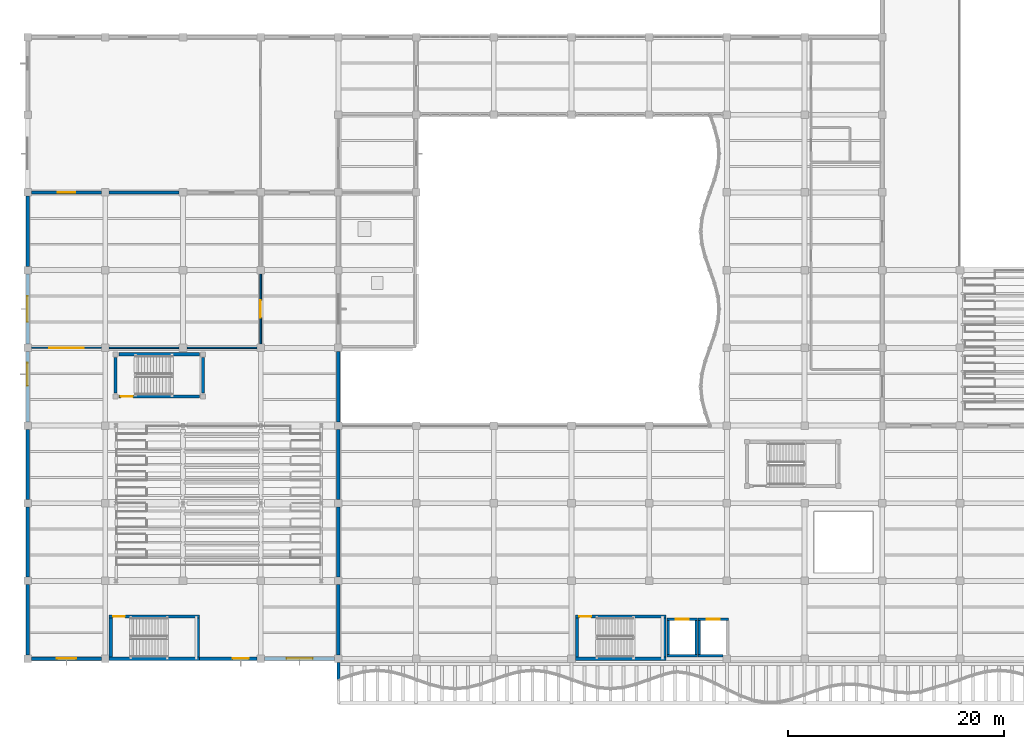
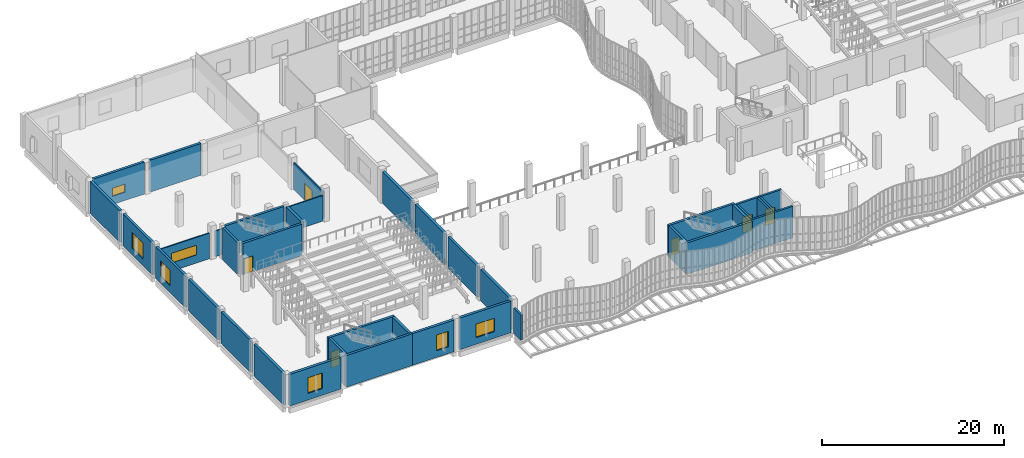
# One storey, part 88 of 108: 39 walls, 7 windows, 6 doors, 13 openings.
"""IFC4 building model written with IfcOpenShell, lengths in metres."""

from ifc_helpers import new_model, si_unit, direction, frame, frame_2d, origin, place, context, subcontext, project, spatial, rectangle, extrude, material, layer, layer_set, type_object, element, fill, save


model = new_model("IFC4")

# Units and contexts
model_context = context("Model", 3, precision=1e-05, world=origin(), true_north=direction((0.0, 1.0)))
body_context = subcontext(model_context, "Body", "Model", "MODEL_VIEW")
ifc_project = project(units=[si_unit("LENGTHUNIT", "METRE"), si_unit("AREAUNIT", "SQUARE_METRE"), si_unit("VOLUMEUNIT", "CUBIC_METRE"), si_unit("PLANEANGLEUNIT", "RADIAN"), si_unit("MASSUNIT", "GRAM", prefix="KILO"), si_unit("THERMODYNAMICTEMPERATUREUNIT", "KELVIN"), si_unit("POWERUNIT", "WATT")], contexts=[model_context])

# Site, building, storey
site_placement = place(None, origin())
site = spatial("IfcSite", under=ifc_project, at=site_placement, CompositionType="ELEMENT")
building_placement = place(site_placement, origin())
building = spatial("IfcBuilding", under=site, at=building_placement, Name="Kaldorven Railside Theatre", CompositionType="ELEMENT")
storey_placement = place(building_placement, frame((0.0, 0.0, 5.39990234375)))
storey = spatial("IfcBuildingStorey", under=building, at=storey_placement, Name="L01", CompositionType="ELEMENT", Elevation=5.39990234375)

# Wall, opening, window
ifc_material_1 = material(Name="Architectural concrete C40/50", Category="concrete")
ifc_layer_1 = layer(ifc_material_1, 0.320068359375, Name="Architectural concrete C40/50")
ifc_layer_set_1 = layer_set([ifc_layer_1], Name="Architectural concrete C40/50")
wall_type_1 = type_object("IfcWallType", Name="WL-EW04", PredefinedType="SOLIDWALL", material=ifc_layer_set_1)
wall_1_placement = place(storey_placement, frame((36.449951171875, 19.199951171875, 0.0), z_axis=(0.0, 0.0, 1.0), x_axis=(-1.0, 0.0, 0.0)))
wall_1 = element("IfcWall", 1, at=wall_1_placement, inside=storey, type_object=wall_type_1, Name="V3 L01 Exterior Wall EW-0147", PredefinedType="SOLIDWALL", context=body_context, shape_type="SweptSolid", body=[
    extrude(rectangle(XDim=6.5, YDim=0.320068359375, at=frame_2d((3.25, 0.0))), origin(), (0.0, 0.0, 1.0), 4.25),
])
opening_1_placement = place(wall_1_placement, frame((2.050048828125, 0.0, 0.89990234375)))
opening_1 = element("IfcOpeningElement", 2, at=opening_1_placement, cuts=wall_1, Name="Opening WN-007", PredefinedType="OPENING", context=body_context, shape_type="SweptSolid", body=[
    extrude(rectangle(XDim=2.39990234375, YDim=1.800048828125, at=frame_2d((1.199951171875, 0.89990234375))), frame((0.0, 0.169921875, 0.0), z_axis=(0.0, -1.0, 0.0), x_axis=(1.0, 0.0, 0.0)), (0.0, 0.0, 1.0), 0.340087890625),
])
ifc_material_2 = material(Name="Low-E laminated solar-control glass", Category="glass")
window_type_1 = type_object("IfcWindowType", Name="WN-EW07", PartitioningType="SINGLE_PANEL", PredefinedType="WINDOW", material=ifc_material_2)
window_1_placement = place(opening_1_placement, origin())
window_1 = element("IfcWindow", 3, at=window_1_placement, inside=storey, type_object=window_type_1, Name="Shaded Acoustic Exterior Window WN-007", OverallHeight=1.800048828125, OverallWidth=2.39990234375, PartitioningType="SINGLE_PANEL", PredefinedType="WINDOW", context=body_context, shape_type="SweptSolid", body=[
    extrude(rectangle(XDim=2.39990234375, YDim=1.800048828125, at=frame_2d((1.199951171875, 0.89990234375))), frame((0.0, 0.030029296875, 0.0), z_axis=(0.0, -1.0, 0.0), x_axis=(1.0, 0.0, 0.0)), (0.0, 0.0, 1.0), 0.06005859375),
])
fill(opening_1, window_1)

wall_2_placement = place(storey_placement, frame((29.25, 19.199951171875, 0.0), z_axis=(0.0, 0.0, 1.0), x_axis=(-1.0, 0.0, 0.0)))
wall_2 = element("IfcWall", 4, at=wall_2_placement, inside=storey, type_object=wall_type_1, Name="V3 L01 Exterior Wall EW-0148", PredefinedType="SOLIDWALL", context=body_context, shape_type="SweptSolid", body=[
    extrude(rectangle(XDim=5.300048828125, YDim=0.320068359375, at=frame_2d((2.64990234375, 0.0))), origin(), (0.0, 0.0, 1.0), 4.25),
])
opening_2_placement = place(wall_2_placement, frame((0.75, 0.0, 0.89990234375)))
opening_2 = element("IfcOpeningElement", 5, at=opening_2_placement, cuts=wall_2, Name="Opening WN-008", PredefinedType="OPENING", context=body_context, shape_type="SweptSolid", body=[
    extrude(rectangle(XDim=1.5, YDim=2.10009765625, at=frame_2d((0.75, 1.050048828125))), frame((0.0, 0.169921875, 0.0), z_axis=(0.0, -1.0, 0.0), x_axis=(1.0, 0.0, 0.0)), (0.0, 0.0, 1.0), 0.340087890625),
])
window_type_2 = type_object("IfcWindowType", Name="WN-EW08", PartitioningType="SINGLE_PANEL", PredefinedType="WINDOW", material=ifc_material_2)
window_2_placement = place(opening_2_placement, origin())
window_2 = element("IfcWindow", 6, at=window_2_placement, inside=storey, type_object=window_type_2, Name="Shaded Acoustic Exterior Window WN-008", OverallHeight=2.10009765625, OverallWidth=1.5, PartitioningType="SINGLE_PANEL", PredefinedType="WINDOW", context=body_context, shape_type="SweptSolid", body=[
    extrude(rectangle(XDim=1.5, YDim=2.10009765625, at=frame_2d((0.75, 1.050048828125))), frame((0.0, 0.030029296875, 0.0), z_axis=(0.0, -1.0, 0.0), x_axis=(1.0, 0.0, 0.0)), (0.0, 0.0, 1.0), 0.06005859375),
])
fill(opening_2, window_2)

wall_3_placement = place(storey_placement, frame((14.85009765625, 19.199951171875, 0.0), z_axis=(0.0, 0.0, 1.0), x_axis=(-1.0, 0.0, 0.0)))
wall_3 = element("IfcWall", 7, at=wall_3_placement, inside=storey, type_object=wall_type_1, Name="V3 L01 Exterior Wall EW-0149", PredefinedType="SOLIDWALL", context=body_context, shape_type="SweptSolid", body=[
    extrude(rectangle(XDim=6.5, YDim=0.320068359375, at=frame_2d((3.25, 0.0))), origin(), (0.0, 0.0, 1.0), 4.25),
])
opening_3_placement = place(wall_3_placement, frame((2.35009765625, 0.0, 0.89990234375)))
opening_3 = element("IfcOpeningElement", 8, at=opening_3_placement, cuts=wall_3, Name="Opening WN-009", PredefinedType="OPENING", context=body_context, shape_type="SweptSolid", body=[
    extrude(rectangle(XDim=1.800048828125, YDim=2.10009765625, at=frame_2d((0.89990234375, 1.050048828125))), frame((0.0, 0.169921875, 0.0), z_axis=(0.0, -1.0, 0.0), x_axis=(1.0, 0.0, 0.0)), (0.0, 0.0, 1.0), 0.340087890625),
])
window_type_3 = type_object("IfcWindowType", Name="WN-EW09", PartitioningType="SINGLE_PANEL", PredefinedType="WINDOW", material=ifc_material_2)
window_3_placement = place(opening_3_placement, origin())
window_3 = element("IfcWindow", 9, at=window_3_placement, inside=storey, type_object=window_type_3, Name="Shaded Acoustic Exterior Window WN-009", OverallHeight=2.10009765625, OverallWidth=1.800048828125, PartitioningType="SINGLE_PANEL", PredefinedType="WINDOW", context=body_context, shape_type="SweptSolid", body=[
    extrude(rectangle(XDim=1.800048828125, YDim=2.10009765625, at=frame_2d((0.89990234375, 1.050048828125))), frame((0.0, 0.030029296875, 0.0), z_axis=(0.0, -1.0, 0.0), x_axis=(1.0, 0.0, 0.0)), (0.0, 0.0, 1.0), 0.06005859375),
])
fill(opening_3, window_3)

# Walls
for number, where, z_axis, x_axis, name in (
    (10, (8.0, 19.550048828125, 0.0), (0.0, 0.0, 1.0), (0.0, 1.0, 0.0), "V3 L01 Exterior Wall EW-0150"),
    (11, (8.0, 26.75, 0.0), (0.0, 0.0, 1.0), (0.0, 1.0, 0.0), "V3 L01 Exterior Wall EW-0151"),
    (12, (8.0, 33.949951171875, 0.0), (0.0, 0.0, 1.0), (0.0, 1.0, 0.0), "V3 L01 Exterior Wall EW-0152"),
):
    element("IfcWall", number, at=place(storey_placement, frame(where, z_axis=z_axis, x_axis=x_axis)), inside=storey, type_object=wall_type_1, Name=name, PredefinedType="SOLIDWALL", context=body_context, shape_type="SweptSolid", body=[
        extrude(rectangle(XDim=6.5, YDim=0.320068359375, at=frame_2d((3.25, 0.0))), origin(), (0.0, 0.0, 1.0), 4.25),
    ])

# Wall, opening, window
wall_4_placement = place(storey_placement, frame((8.0, 41.14990234375, 0.0), z_axis=(0.0, 0.0, 1.0), x_axis=(0.0, 1.0, 0.0)))
wall_4 = element("IfcWall", 13, at=wall_4_placement, inside=storey, type_object=wall_type_1, Name="V3 L01 Exterior Wall EW-0153", PredefinedType="SOLIDWALL", context=body_context, shape_type="SweptSolid", body=[
    extrude(rectangle(XDim=6.5, YDim=0.320068359375, at=frame_2d((3.25, 0.0))), origin(), (0.0, 0.0, 1.0), 4.25),
])
opening_4_placement = place(wall_4_placement, frame((3.35009765625, 0.0, 0.89990234375)))
opening_4 = element("IfcOpeningElement", 14, at=opening_4_placement, cuts=wall_4, Name="Opening WN-010", PredefinedType="OPENING", context=body_context, shape_type="SweptSolid", body=[
    extrude(rectangle(XDim=2.10009765625, YDim=2.10009765625, at=frame_2d((1.050048828125, 1.050048828125))), frame((0.0, 0.169921875, 0.0), z_axis=(0.0, -1.0, 0.0), x_axis=(1.0, 0.0, 0.0)), (0.0, 0.0, 1.0), 0.340087890625),
])
window_type_4 = type_object("IfcWindowType", Name="WN-EW10", PartitioningType="SINGLE_PANEL", PredefinedType="WINDOW", material=ifc_material_2)
window_4_placement = place(opening_4_placement, origin())
window_4 = element("IfcWindow", 15, at=window_4_placement, inside=storey, type_object=window_type_4, Name="Shaded Acoustic Exterior Window WN-010", OverallHeight=2.10009765625, OverallWidth=2.10009765625, PartitioningType="SINGLE_PANEL", PredefinedType="WINDOW", context=body_context, shape_type="SweptSolid", body=[
    extrude(rectangle(XDim=2.10009765625, YDim=2.10009765625, at=frame_2d((1.050048828125, 1.050048828125))), frame((0.0, 0.030029296875, 0.0), z_axis=(0.0, -1.0, 0.0), x_axis=(1.0, 0.0, 0.0)), (0.0, 0.0, 1.0), 0.06005859375),
])
fill(opening_4, window_4)

wall_5_placement = place(storey_placement, frame((8.0, 48.35009765625, 0.0), z_axis=(0.0, 0.0, 1.0), x_axis=(0.0, 1.0, 0.0)))
wall_5 = element("IfcWall", 16, at=wall_5_placement, inside=storey, type_object=wall_type_1, Name="V3 L01 Exterior Wall EW-0154", PredefinedType="SOLIDWALL", context=body_context, shape_type="SweptSolid", body=[
    extrude(rectangle(XDim=6.5, YDim=0.320068359375, at=frame_2d((3.25, 0.0))), origin(), (0.0, 0.0, 1.0), 4.280029296875),
])
opening_5_placement = place(wall_5_placement, frame((2.050048828125, 0.0, 0.89990234375)))
opening_5 = element("IfcOpeningElement", 17, at=opening_5_placement, cuts=wall_5, Name="Opening WN-011", PredefinedType="OPENING", context=body_context, shape_type="SweptSolid", body=[
    extrude(rectangle(XDim=2.39990234375, YDim=2.10009765625, at=frame_2d((1.199951171875, 1.050048828125))), frame((0.0, 0.169921875, 0.0), z_axis=(0.0, -1.0, 0.0), x_axis=(1.0, 0.0, 0.0)), (0.0, 0.0, 1.0), 0.340087890625),
])
window_type_5 = type_object("IfcWindowType", Name="WN-EW11", PartitioningType="SINGLE_PANEL", PredefinedType="WINDOW", material=ifc_material_2)
window_5_placement = place(opening_5_placement, origin())
window_5 = element("IfcWindow", 18, at=window_5_placement, inside=storey, type_object=window_type_5, Name="Shaded Acoustic Exterior Window WN-011", OverallHeight=2.10009765625, OverallWidth=2.39990234375, PartitioningType="SINGLE_PANEL", PredefinedType="WINDOW", context=body_context, shape_type="SweptSolid", body=[
    extrude(rectangle(XDim=2.39990234375, YDim=2.10009765625, at=frame_2d((1.199951171875, 1.050048828125))), frame((0.0, 0.030029296875, 0.0), z_axis=(0.0, -1.0, 0.0), x_axis=(1.0, 0.0, 0.0)), (0.0, 0.0, 1.0), 0.06005859375),
])
fill(opening_5, window_5)

# Walls
wall_6_placement = place(storey_placement, frame((8.0, 55.550048828125, 0.0), z_axis=(0.0, 0.0, 1.0), x_axis=(0.0, 1.0, 0.0)))
element("IfcWall", 19, at=wall_6_placement, inside=storey, type_object=wall_type_1, Name="V3 L01 Exterior Wall EW-0155", PredefinedType="SOLIDWALL", context=body_context, shape_type="SweptSolid", body=[
    extrude(rectangle(XDim=6.5, YDim=0.320068359375, at=frame_2d((3.25, 0.0))), origin(), (0.0, 0.0, 1.0), 4.280029296875),
])
wall_7_placement = place(storey_placement, frame((36.800048828125, 47.64990234375, 0.0), z_axis=(0.0, 0.0, 1.0), x_axis=(0.0, -1.0, 0.0)))
element("IfcWall", 20, at=wall_7_placement, inside=storey, type_object=wall_type_1, Name="V3 L01 Exterior Wall EW-0158", PredefinedType="SOLIDWALL", context=body_context, shape_type="SweptSolid", body=[
    extrude(rectangle(XDim=6.5, YDim=0.320068359375, at=frame_2d((3.25, 0.0))), origin(), (0.0, 0.0, 1.0), 4.25),
])
for number, where, z_axis, x_axis, name in (
    (21, (36.800048828125, 40.449951171875, 0.0), (0.0, 0.0, 1.0), (0.0, -1.0, 0.0), "V3 L01 Exterior Wall EW-0159"),
    (22, (36.800048828125, 33.25, 0.0), (0.0, 0.0, 1.0), (0.0, -1.0, 0.0), "V3 L01 Exterior Wall EW-0160"),
    (23, (36.800048828125, 26.050048828125, 0.0), (0.0, 0.0, 1.0), (0.0, -1.0, 0.0), "V3 L01 Exterior Wall EW-0161"),
):
    element("IfcWall", number, at=place(storey_placement, frame(where, z_axis=z_axis, x_axis=x_axis)), inside=storey, type_object=wall_type_1, Name=name, PredefinedType="SOLIDWALL", context=body_context, shape_type="SweptSolid", body=[
        extrude(rectangle(XDim=6.5, YDim=0.320068359375, at=frame_2d((3.25, 0.0))), origin(), (0.0, 0.0, 1.0), 4.22021484375),
    ])
ifc_material_3 = material(Name="Precast concrete C40/50", Category="concrete")
ifc_layer_2 = layer(ifc_material_3, 0.25, Name="Precast concrete C40/50")
ifc_layer_set_2 = layer_set([ifc_layer_2], Name="Precast concrete C40/50")
wall_type_2 = type_object("IfcWallType", Name="WL-EW06", PredefinedType="SOLIDWALL", material=ifc_layer_set_2)
wall_8_placement = place(storey_placement, frame((36.800048828125, 17.25, 0.0), z_axis=(0.0, 0.0, 1.0), x_axis=(0.0, 1.0, 0.0)))
element("IfcWall", 24, at=wall_8_placement, inside=storey, type_object=wall_type_2, Name="L01 Sinusoidal Foyer W End Return Wall EW-0470", PredefinedType="SOLIDWALL", context=body_context, shape_type="SweptSolid", body=[
    extrude(rectangle(XDim=1.60009765625, YDim=0.25, at=frame_2d((0.800048828125, 0.0))), origin(), (0.0, 0.0, 1.0), 3.375),
])

# Wall, opening, door
ifc_material_4 = material(Name="Acoustic gypsum board")
ifc_layer_3 = layer(ifc_material_4, 0.14990234375, Name="Acoustic gypsum board")
ifc_layer_set_3 = layer_set([ifc_layer_3], Name="Acoustic gypsum board")
wall_type_3 = type_object("IfcWallType", Name="WL-IW-AC1", PredefinedType="PARTITIONING", material=ifc_layer_set_3)
wall_9_placement = place(storey_placement, frame((29.60009765625, 48.35009765625, 0.0), z_axis=(0.0, 0.0, 1.0), x_axis=(0.0, 1.0, 0.0)))
wall_9 = element("IfcWall", 25, at=wall_9_placement, inside=storey, type_object=wall_type_3, Name="L01 Interior Wall IW-0522", PredefinedType="PARTITIONING", context=body_context, shape_type="SweptSolid", body=[
    extrude(rectangle(XDim=6.5, YDim=0.14990234375, at=frame_2d((3.25, 0.0))), origin(), (0.0, 0.0, 1.0), 3.5751953125),
])
opening_6_placement = place(wall_9_placement, frame((2.449951171875, 0.0, 0.0)))
opening_6 = element("IfcOpeningElement", 26, at=opening_6_placement, cuts=wall_9, Name="Opening ID-0121", PredefinedType="OPENING", context=body_context, shape_type="SweptSolid", body=[
    extrude(rectangle(XDim=1.60009765625, YDim=2.25, at=frame_2d((0.800048828125, 1.125))), frame((0.0, 0.0849609375, 0.0), z_axis=(0.0, -1.0, 0.0), x_axis=(1.0, 0.0, 0.0)), (0.0, 0.0, 1.0), 0.169921875),
])
ifc_material_5 = material(Name="Acoustic hardwood timber", Category="wood")
door_type_1 = type_object("IfcDoorType", Name="DR-ID-REH1", OperationType="NOTDEFINED", PredefinedType="DOOR", material=ifc_material_5)
door_1_placement = place(opening_6_placement, origin())
door_1 = element("IfcDoor", 27, at=door_1_placement, inside=storey, type_object=door_type_1, Name="Studio Stage Entry Door", OperationType="DOUBLE_DOOR_SINGLE_SWING", OverallHeight=2.25, OverallWidth=1.60009765625, PredefinedType="DOOR", context=body_context, shape_type="SweptSolid", body=[
    extrude(rectangle(XDim=1.60009765625, YDim=2.25, at=frame_2d((0.800048828125, 1.125))), frame((0.0, 0.02490234375, 0.0), z_axis=(0.0, -1.0, 0.0), x_axis=(1.0, 0.0, 0.0)), (0.0, 0.0, 1.0), 0.050048828125),
])
fill(opening_6, door_1)

# Wall, opening, window
wall_10_placement = place(storey_placement, frame((8.35009765625, 48.0, 0.0), z_axis=(0.0, 0.0, 1.0), x_axis=(1.0, 0.0, 0.0)))
wall_10 = element("IfcWall", 28, at=wall_10_placement, inside=storey, type_object=wall_type_3, Name="L01 Interior Wall IW-0524", PredefinedType="PARTITIONING", context=body_context, shape_type="SweptSolid", body=[
    extrude(rectangle(XDim=6.5, YDim=0.14990234375, at=frame_2d((3.25, 0.0))), origin(), (0.0, 0.0, 1.0), 3.445068359375),
])
opening_7_placement = place(wall_10_placement, frame((1.64990234375, 0.0, 1.10009765625)))
opening_7 = element("IfcOpeningElement", 29, at=opening_7_placement, cuts=wall_10, Name="Opening IWN-016", PredefinedType="OPENING", context=body_context, shape_type="SweptSolid", body=[
    extrude(rectangle(XDim=3.199951171875, YDim=1.300048828125, at=frame_2d((1.60009765625, 0.64990234375))), frame((0.0, 0.0849609375, 0.0), z_axis=(0.0, -1.0, 0.0), x_axis=(1.0, 0.0, 0.0)), (0.0, 0.0, 1.0), 0.169921875),
])
window_type_6 = type_object("IfcWindowType", Name="WN-IW08", PartitioningType="SINGLE_PANEL", PredefinedType="WINDOW", material=ifc_material_2)
window_6_placement = place(opening_7_placement, origin())
window_6 = element("IfcWindow", 30, at=window_6_placement, inside=storey, type_object=window_type_6, Name="Acoustic Observation Window IWN-016", OverallHeight=1.300048828125, OverallWidth=3.199951171875, PartitioningType="SINGLE_PANEL", PredefinedType="WINDOW", context=body_context, shape_type="SweptSolid", body=[
    extrude(rectangle(XDim=3.199951171875, YDim=1.300048828125, at=frame_2d((1.60009765625, 0.64990234375))), frame((0.0, 0.030029296875, 0.0), z_axis=(0.0, -1.0, 0.0), x_axis=(1.0, 0.0, 0.0)), (0.0, 0.0, 1.0), 0.06005859375),
])
fill(opening_7, window_6)

# Walls
for number, where, z_axis, x_axis, name in (
    (31, (15.550048828125, 48.0, 0.0), (0.0, 0.0, 1.0), (1.0, 0.0, 0.0), "L01 Interior Wall IW-0525"),
    (32, (22.75, 48.0, 0.0), (0.0, 0.0, 1.0), (1.0, 0.0, 0.0), "L01 Interior Wall IW-0526"),
):
    element("IfcWall", number, at=place(storey_placement, frame(where, z_axis=z_axis, x_axis=x_axis)), inside=storey, type_object=wall_type_3, Name=name, PredefinedType="PARTITIONING", context=body_context, shape_type="SweptSolid", body=[
        extrude(rectangle(XDim=6.5, YDim=0.14990234375, at=frame_2d((3.25, 0.0))), origin(), (0.0, 0.0, 1.0), 3.445068359375),
    ])
ifc_material_6 = material(Name="Concrete C40/50", Category="concrete")
ifc_layer_4 = layer(ifc_material_6, 0.300048828125, Name="Concrete C40/50")
ifc_layer_set_4 = layer_set([ifc_layer_4], Name="Concrete C40/50")
wall_type_4 = type_object("IfcWallType", Name="WL-IW-CORE", PredefinedType="SHEAR", material=ifc_layer_set_4)
wall_11_placement = place(storey_placement, frame((23.949951171875, 19.199951171875, 0.0), z_axis=(0.0, 0.0, 1.0), x_axis=(-1.0, 0.0, 0.0)))
element("IfcWall", 33, at=wall_11_placement, inside=storey, type_object=wall_type_4, Name="L01 Core Wall CW-0009", PredefinedType="SHEAR", context=body_context, shape_type="SweptSolid", body=[
    extrude(rectangle(XDim=8.39990234375, YDim=0.300048828125, at=frame_2d((4.199951171875, 0.0))), origin(), (0.0, 0.0, 1.0), 4.25),
])
wall_12_placement = place(storey_placement, frame((15.699951171875, 19.35205078125, 0.0), z_axis=(0.0, 0.0, 1.0), x_axis=(0.0, 1.0, 0.0)))
element("IfcWall", 34, at=wall_12_placement, inside=storey, type_object=wall_type_4, Name="L01 Core Wall CW-0010", PredefinedType="SHEAR", context=body_context, shape_type="SweptSolid", body=[
    extrude(rectangle(XDim=3.597900390625, YDim=0.300048828125, at=frame_2d((1.798828125, 0.0))), origin(), (0.0, 0.0, 1.0), 4.25),
])

# Wall, opening, door
wall_13_placement = place(storey_placement, frame((15.550048828125, 23.10009765625, 0.0), z_axis=(0.0, 0.0, 1.0), x_axis=(1.0, 0.0, 0.0)))
wall_13 = element("IfcWall", 35, at=wall_13_placement, inside=storey, type_object=wall_type_4, Name="L01 Core Wall CW-0011", PredefinedType="SHEAR", context=body_context, shape_type="SweptSolid", body=[
    extrude(rectangle(XDim=8.39990234375, YDim=0.300048828125, at=frame_2d((4.199951171875, 0.0))), origin(), (0.0, 0.0, 1.0), 4.25),
])
opening_8_placement = place(wall_13_placement, frame((0.3701171875, 0.0, 0.0)))
opening_8 = element("IfcOpeningElement", 36, at=opening_8_placement, cuts=wall_13, Name="Opening ID-0003", PredefinedType="OPENING", context=body_context, shape_type="SweptSolid", body=[
    extrude(rectangle(XDim=1.10009765625, YDim=2.14990234375, at=frame_2d((0.550048828125, 1.074951171875))), frame((0.0, 0.16015625, 0.0), z_axis=(0.0, -1.0, 0.0), x_axis=(1.0, 0.0, 0.0)), (0.0, 0.0, 1.0), 0.320068359375),
])
door_type_2 = type_object("IfcDoorType", Name="DR-ID-FD60", OperationType="NOTDEFINED", PredefinedType="DOOR", material=ifc_material_5)
door_2_placement = place(opening_8_placement, origin())
door_2 = element("IfcDoor", 37, at=door_2_placement, inside=storey, type_object=door_type_2, Name="Stair ST-01 Fire Door", OperationType="SINGLE_SWING_LEFT", OverallHeight=2.14990234375, OverallWidth=1.10009765625, PredefinedType="DOOR", context=body_context, shape_type="SweptSolid", body=[
    extrude(rectangle(XDim=1.10009765625, YDim=2.14990234375, at=frame_2d((0.550048828125, 1.074951171875))), frame((0.0, 0.02490234375, 0.0), z_axis=(0.0, -1.0, 0.0), x_axis=(1.0, 0.0, 0.0)), (0.0, 0.0, 1.0), 0.050048828125),
])
fill(opening_8, door_2)

# Wall
wall_14_placement = place(storey_placement, frame((23.800048828125, 22.947998046875, 0.0), z_axis=(0.0, 0.0, 1.0), x_axis=(0.0, -1.0, 0.0)))
element("IfcWall", 38, at=wall_14_placement, inside=storey, type_object=wall_type_4, Name="L01 Core Wall CW-0012", PredefinedType="SHEAR", context=body_context, shape_type="SweptSolid", body=[
    extrude(rectangle(XDim=3.595947265625, YDim=0.300048828125, at=frame_2d((1.7978515625, 0.0))), origin(), (0.0, 0.0, 1.0), 4.25),
])

# Wall, opening, door
wall_15_placement = place(storey_placement, frame((23.949951171875, 43.5, 0.0), z_axis=(0.0, 0.0, 1.0), x_axis=(-1.0, 0.0, 0.0)))
wall_15 = element("IfcWall", 39, at=wall_15_placement, inside=storey, type_object=wall_type_4, Name="L01 Core Wall CW-0021", PredefinedType="SHEAR", context=body_context, shape_type="SweptSolid", body=[
    extrude(rectangle(XDim=7.5, YDim=0.300048828125, at=frame_2d((3.75, 0.0))), origin(), (0.0, 0.0, 1.0), 4.25),
])
opening_9_placement = place(wall_15_placement, frame((6.199951171875, 0.0, 0.0)))
opening_9 = element("IfcOpeningElement", 40, at=opening_9_placement, cuts=wall_15, Name="Opening ID-0006", PredefinedType="OPENING", context=body_context, shape_type="SweptSolid", body=[
    extrude(rectangle(XDim=1.10009765625, YDim=2.14990234375, at=frame_2d((0.550048828125, 1.074951171875))), frame((0.0, 0.16015625, 0.0), z_axis=(0.0, -1.0, 0.0), x_axis=(1.0, 0.0, 0.0)), (0.0, 0.0, 1.0), 0.320068359375),
])
door_3_placement = place(opening_9_placement, origin())
door_3 = element("IfcDoor", 41, at=door_3_placement, inside=storey, type_object=door_type_2, Name="Stair ST-02 Fire Door", OperationType="SINGLE_SWING_RIGHT", OverallHeight=2.14990234375, OverallWidth=1.10009765625, PredefinedType="DOOR", context=body_context, shape_type="SweptSolid", body=[
    extrude(rectangle(XDim=1.10009765625, YDim=2.14990234375, at=frame_2d((0.550048828125, 1.074951171875))), frame((0.0, 0.02490234375, 0.0), z_axis=(0.0, -1.0, 0.0), x_axis=(1.0, 0.0, 0.0)), (0.0, 0.0, 1.0), 0.050048828125),
])
fill(opening_9, door_3)

# Walls
wall_16_placement = place(storey_placement, frame((16.14990234375, 43.800048828125, 0.0), z_axis=(0.0, 0.0, 1.0), x_axis=(0.0, 1.0, 0.0)))
element("IfcWall", 42, at=wall_16_placement, inside=storey, type_object=wall_type_4, Name="L01 Core Wall CW-0022", PredefinedType="SHEAR", context=body_context, shape_type="SweptSolid", body=[
    extrude(rectangle(XDim=3.300048828125, YDim=0.300048828125, at=frame_2d((1.64990234375, 0.0))), origin(), (0.0, 0.0, 1.0), 4.25),
])
wall_17_placement = place(storey_placement, frame((16.449951171875, 47.39990234375, 0.0), z_axis=(0.0, 0.0, 1.0), x_axis=(1.0, 0.0, 0.0)))
element("IfcWall", 43, at=wall_17_placement, inside=storey, type_object=wall_type_4, Name="L01 Core Wall CW-0023", PredefinedType="SHEAR", context=body_context, shape_type="SweptSolid", body=[
    extrude(rectangle(XDim=7.5, YDim=0.300048828125, at=frame_2d((3.75, 0.0))), origin(), (0.0, 0.0, 1.0), 4.25),
])
wall_18_placement = place(storey_placement, frame((24.25, 47.10009765625, 0.0), z_axis=(0.0, 0.0, 1.0), x_axis=(0.0, -1.0, 0.0)))
element("IfcWall", 44, at=wall_18_placement, inside=storey, type_object=wall_type_4, Name="L01 Core Wall CW-0024", PredefinedType="SHEAR", context=body_context, shape_type="SweptSolid", body=[
    extrude(rectangle(XDim=3.300048828125, YDim=0.300048828125, at=frame_2d((1.64990234375, 0.0))), origin(), (0.0, 0.0, 1.0), 4.25),
])
wall_19_placement = place(storey_placement, frame((67.14990234375, 19.199951171875, 0.0), z_axis=(0.0, 0.0, 1.0), x_axis=(-1.0, 0.0, 0.0)))
element("IfcWall", 45, at=wall_19_placement, inside=storey, type_object=wall_type_4, Name="L01 Core Wall CW-0037", PredefinedType="SHEAR", context=body_context, shape_type="SweptSolid", body=[
    extrude(rectangle(XDim=8.39990234375, YDim=0.300048828125, at=frame_2d((4.199951171875, 0.0))), origin(), (0.0, 0.0, 1.0), 4.22021484375),
])
wall_20_placement = place(storey_placement, frame((58.89990234375, 19.35205078125, 0.0), z_axis=(0.0, 0.0, 1.0), x_axis=(0.0, 1.0, 0.0)))
element("IfcWall", 46, at=wall_20_placement, inside=storey, type_object=wall_type_4, Name="L01 Core Wall CW-0038", PredefinedType="SHEAR", context=body_context, shape_type="SweptSolid", body=[
    extrude(rectangle(XDim=3.597900390625, YDim=0.300048828125, at=frame_2d((1.798828125, 0.0))), origin(), (0.0, 0.0, 1.0), 4.22021484375),
])

# Wall, opening, door
wall_21_placement = place(storey_placement, frame((58.75, 23.10009765625, 0.0), z_axis=(0.0, 0.0, 1.0), x_axis=(1.0, 0.0, 0.0)))
wall_21 = element("IfcWall", 47, at=wall_21_placement, inside=storey, type_object=wall_type_4, Name="L01 Core Wall CW-0039", PredefinedType="SHEAR", context=body_context, shape_type="SweptSolid", body=[
    extrude(rectangle(XDim=8.39990234375, YDim=0.300048828125, at=frame_2d((4.199951171875, 0.0))), origin(), (0.0, 0.0, 1.0), 4.22021484375),
])
opening_10_placement = place(wall_21_placement, frame((0.3701171875, 0.0, 0.0)))
opening_10 = element("IfcOpeningElement", 48, at=opening_10_placement, cuts=wall_21, Name="Opening ID-0010", PredefinedType="OPENING", context=body_context, shape_type="SweptSolid", body=[
    extrude(rectangle(XDim=1.10009765625, YDim=2.14990234375, at=frame_2d((0.550048828125, 1.074951171875))), frame((0.0, 0.16015625, 0.0), z_axis=(0.0, -1.0, 0.0), x_axis=(1.0, 0.0, 0.0)), (0.0, 0.0, 1.0), 0.320068359375),
])
door_4_placement = place(opening_10_placement, origin())
door_4 = element("IfcDoor", 49, at=door_4_placement, inside=storey, type_object=door_type_2, Name="Stair ST-03 Fire Door", OperationType="SINGLE_SWING_RIGHT", OverallHeight=2.14990234375, OverallWidth=1.10009765625, PredefinedType="DOOR", context=body_context, shape_type="SweptSolid", body=[
    extrude(rectangle(XDim=1.10009765625, YDim=2.14990234375, at=frame_2d((0.550048828125, 1.074951171875))), frame((0.0, 0.02490234375, 0.0), z_axis=(0.0, -1.0, 0.0), x_axis=(1.0, 0.0, 0.0)), (0.0, 0.0, 1.0), 0.050048828125),
])
fill(opening_10, door_4)

# Wall
wall_22_placement = place(storey_placement, frame((67.0, 22.947998046875, 0.0), z_axis=(0.0, 0.0, 1.0), x_axis=(0.0, -1.0, 0.0)))
element("IfcWall", 50, at=wall_22_placement, inside=storey, type_object=wall_type_4, Name="L01 Core Wall CW-0040", PredefinedType="SHEAR", context=body_context, shape_type="SweptSolid", body=[
    extrude(rectangle(XDim=3.595947265625, YDim=0.300048828125, at=frame_2d((1.7978515625, 0.0))), origin(), (0.0, 0.0, 1.0), 4.22021484375),
])

# Wall, opening, window
wall_23_placement = place(storey_placement, frame((8.35009765625, 62.39990234375, 0.0), z_axis=(0.0, 0.0, 1.0), x_axis=(1.0, 0.0, 0.0)))
wall_23 = element("IfcWall", 51, at=wall_23_placement, inside=storey, type_object=wall_type_4, Name="L01 Interior Wall AW-0392", PredefinedType="SHEAR", context=body_context, shape_type="SweptSolid", body=[
    extrude(rectangle(XDim=6.5, YDim=0.300048828125, at=frame_2d((3.25, 0.0))), origin(), (0.0, 0.0, 1.0), 4.280029296875),
])
opening_11_placement = place(wall_23_placement, frame((2.449951171875, 0.0, 1.10009765625)))
opening_11 = element("IfcOpeningElement", 52, at=opening_11_placement, cuts=wall_23, Name="Opening IWN-017", PredefinedType="OPENING", context=body_context, shape_type="SweptSolid", body=[
    extrude(rectangle(XDim=1.60009765625, YDim=1.10009765625, at=frame_2d((0.800048828125, 0.550048828125))), frame((0.0, 0.16015625, 0.0), z_axis=(0.0, -1.0, 0.0), x_axis=(1.0, 0.0, 0.0)), (0.0, 0.0, 1.0), 0.320068359375),
])
window_type_7 = type_object("IfcWindowType", Name="WN-IW01", PartitioningType="SINGLE_PANEL", PredefinedType="WINDOW", material=ifc_material_2)
window_7_placement = place(opening_11_placement, origin())
window_7 = element("IfcWindow", 53, at=window_7_placement, inside=storey, type_object=window_type_7, Name="Acoustic Observation Window IWN-017", OverallHeight=1.10009765625, OverallWidth=1.60009765625, PartitioningType="SINGLE_PANEL", PredefinedType="WINDOW", context=body_context, shape_type="SweptSolid", body=[
    extrude(rectangle(XDim=1.60009765625, YDim=1.10009765625, at=frame_2d((0.800048828125, 0.550048828125))), frame((0.0, 0.030029296875, 0.0), z_axis=(0.0, -1.0, 0.0), x_axis=(1.0, 0.0, 0.0)), (0.0, 0.0, 1.0), 0.06005859375),
])
fill(opening_11, window_7)

# Walls
wall_24_placement = place(storey_placement, frame((15.550048828125, 62.39990234375, 0.0), z_axis=(0.0, 0.0, 1.0), x_axis=(1.0, 0.0, 0.0)))
element("IfcWall", 54, at=wall_24_placement, inside=storey, type_object=wall_type_4, Name="L01 Interior Wall AW-0393", PredefinedType="SHEAR", context=body_context, shape_type="SweptSolid", body=[
    extrude(rectangle(XDim=6.5, YDim=0.300048828125, at=frame_2d((3.25, 0.0))), origin(), (0.0, 0.0, 1.0), 4.280029296875),
])
ifc_layer_5 = layer(ifc_material_6, 0.239990234375, Name="Concrete C40/50")
ifc_layer_set_5 = layer_set([ifc_layer_5], Name="Concrete C40/50")
wall_type_5 = type_object("IfcWallType", Name="WL-IW-SHAFT", PredefinedType="SHEAR", material=ifc_layer_set_5)
wall_25_placement = place(storey_placement, frame((70.070068359375, 19.449951171875, 0.0), z_axis=(0.0, 0.0, 1.0), x_axis=(-1.0, 0.0, 0.0)))
element("IfcWall", 55, at=wall_25_placement, inside=storey, type_object=wall_type_5, Name="L01 Interior Wall SW-0057", PredefinedType="SHEAR", context=body_context, shape_type="SweptSolid", body=[
    extrude(rectangle(XDim=2.840087890625, YDim=0.239990234375, at=frame_2d((1.419921875, 0.0))), origin(), (0.0, 0.0, 1.0), 4.22021484375),
])
wall_26_placement = place(storey_placement, frame((67.35009765625, 19.572021484375, 0.0), z_axis=(0.0, 0.0, 1.0), x_axis=(0.0, 1.0, 0.0)))
element("IfcWall", 56, at=wall_26_placement, inside=storey, type_object=wall_type_5, Name="L01 Interior Wall SW-0058", PredefinedType="SHEAR", context=body_context, shape_type="SweptSolid", body=[
    extrude(rectangle(XDim=3.157958984375, YDim=0.239990234375, at=frame_2d((1.5791015625, 0.0))), origin(), (0.0, 0.0, 1.0), 4.22021484375),
])

# Wall, opening, door
wall_27_placement = place(storey_placement, frame((67.22998046875, 22.85009765625, 0.0), z_axis=(0.0, 0.0, 1.0), x_axis=(1.0, 0.0, 0.0)))
wall_27 = element("IfcWall", 57, at=wall_27_placement, inside=storey, type_object=wall_type_5, Name="L01 Interior Wall SW-0059", PredefinedType="SHEAR", context=body_context, shape_type="SweptSolid", body=[
    extrude(rectangle(XDim=2.840087890625, YDim=0.239990234375, at=frame_2d((1.419921875, 0.0))), origin(), (0.0, 0.0, 1.0), 4.22021484375),
])
opening_12_placement = place(wall_27_placement, frame((0.820068359375, 0.0, 0.0)))
opening_12 = element("IfcOpeningElement", 58, at=opening_12_placement, cuts=wall_27, Name="Opening LD-003", PredefinedType="OPENING", context=body_context, shape_type="SweptSolid", body=[
    extrude(rectangle(XDim=1.199951171875, YDim=2.14990234375, at=frame_2d((0.60009765625, 1.074951171875))), frame((0.0, 0.1298828125, 0.0), z_axis=(0.0, -1.0, 0.0), x_axis=(1.0, 0.0, 0.0)), (0.0, 0.0, 1.0), 0.260009765625),
])
ifc_material_7 = material(Name="Powder-coated hollow-metal steel", Category="steel")
door_type_3 = type_object("IfcDoorType", Name="DR-LD-PASS", OperationType="NOTDEFINED", PredefinedType="DOOR", material=ifc_material_7)
door_5_placement = place(opening_12_placement, origin())
door_5 = element("IfcDoor", 59, at=door_5_placement, inside=storey, type_object=door_type_3, Name="Lift LF-P1 Sliding Landing Door", OperationType="DOUBLE_DOOR_SLIDING", OverallHeight=2.14990234375, OverallWidth=1.199951171875, PredefinedType="DOOR", context=body_context, shape_type="SweptSolid", body=[
    extrude(rectangle(XDim=1.199951171875, YDim=2.14990234375, at=frame_2d((0.60009765625, 1.074951171875))), frame((0.0, 0.02490234375, 0.0), z_axis=(0.0, -1.0, 0.0), x_axis=(1.0, 0.0, 0.0)), (0.0, 0.0, 1.0), 0.050048828125),
])
fill(opening_12, door_5)

# Walls
wall_28_placement = place(storey_placement, frame((69.949951171875, 22.72802734375, 0.0), z_axis=(0.0, 0.0, 1.0), x_axis=(0.0, -1.0, 0.0)))
element("IfcWall", 60, at=wall_28_placement, inside=storey, type_object=wall_type_5, Name="L01 Interior Wall SW-0060", PredefinedType="SHEAR", context=body_context, shape_type="SweptSolid", body=[
    extrude(rectangle(XDim=3.156005859375, YDim=0.239990234375, at=frame_2d((1.578125, 0.0))), origin(), (0.0, 0.0, 1.0), 4.22021484375),
])
wall_29_placement = place(storey_placement, frame((72.449951171875, 19.449951171875, 0.0), z_axis=(0.0, 0.0, 1.0), x_axis=(-1.0, 0.0, 0.0)))
element("IfcWall", 61, at=wall_29_placement, inside=storey, type_object=wall_type_5, Name="L01 Interior Wall SW-0077", PredefinedType="SHEAR", context=body_context, shape_type="SweptSolid", body=[
    extrude(rectangle(XDim=2.320068359375, YDim=0.239990234375, at=frame_2d((1.16015625, 0.0))), origin(), (0.0, 0.0, 1.0), 4.22021484375),
])
wall_30_placement = place(storey_placement, frame((70.25, 19.572021484375, 0.0), z_axis=(0.0, 0.0, 1.0), x_axis=(0.0, 1.0, 0.0)))
element("IfcWall", 62, at=wall_30_placement, inside=storey, type_object=wall_type_5, Name="L01 Interior Wall SW-0078", PredefinedType="SHEAR", context=body_context, shape_type="SweptSolid", body=[
    extrude(rectangle(XDim=3.157958984375, YDim=0.239990234375, at=frame_2d((1.5791015625, 0.0))), origin(), (0.0, 0.0, 1.0), 4.22021484375),
])

# Wall, opening, door
wall_31_placement = place(storey_placement, frame((70.1298828125, 22.85009765625, 0.0), z_axis=(0.0, 0.0, 1.0), x_axis=(1.0, 0.0, 0.0)))
wall_31 = element("IfcWall", 63, at=wall_31_placement, inside=storey, type_object=wall_type_5, Name="L01 Interior Wall SW-0079", PredefinedType="SHEAR", context=body_context, shape_type="SweptSolid", body=[
    extrude(rectangle(XDim=2.840087890625, YDim=0.239990234375, at=frame_2d((1.419921875, 0.0))), origin(), (0.0, 0.0, 1.0), 4.22021484375),
])
opening_13_placement = place(wall_31_placement, frame((0.820068359375, 0.0, 0.0)))
opening_13 = element("IfcOpeningElement", 64, at=opening_13_placement, cuts=wall_31, Name="Opening LD-008", PredefinedType="OPENING", context=body_context, shape_type="SweptSolid", body=[
    extrude(rectangle(XDim=1.199951171875, YDim=2.14990234375, at=frame_2d((0.60009765625, 1.074951171875))), frame((0.0, 0.1298828125, 0.0), z_axis=(0.0, -1.0, 0.0), x_axis=(1.0, 0.0, 0.0)), (0.0, 0.0, 1.0), 0.260009765625),
])
door_6_placement = place(opening_13_placement, origin())
door_6 = element("IfcDoor", 65, at=door_6_placement, inside=storey, type_object=door_type_3, Name="Lift LF-P2 Sliding Landing Door", OperationType="DOUBLE_DOOR_SLIDING", OverallHeight=2.14990234375, OverallWidth=1.199951171875, PredefinedType="DOOR", context=body_context, shape_type="SweptSolid", body=[
    extrude(rectangle(XDim=1.199951171875, YDim=2.14990234375, at=frame_2d((0.60009765625, 1.074951171875))), frame((0.0, 0.02490234375, 0.0), z_axis=(0.0, -1.0, 0.0), x_axis=(1.0, 0.0, 0.0)), (0.0, 0.0, 1.0), 0.050048828125),
])
fill(opening_13, door_6)

save(model, "model.ifc")
